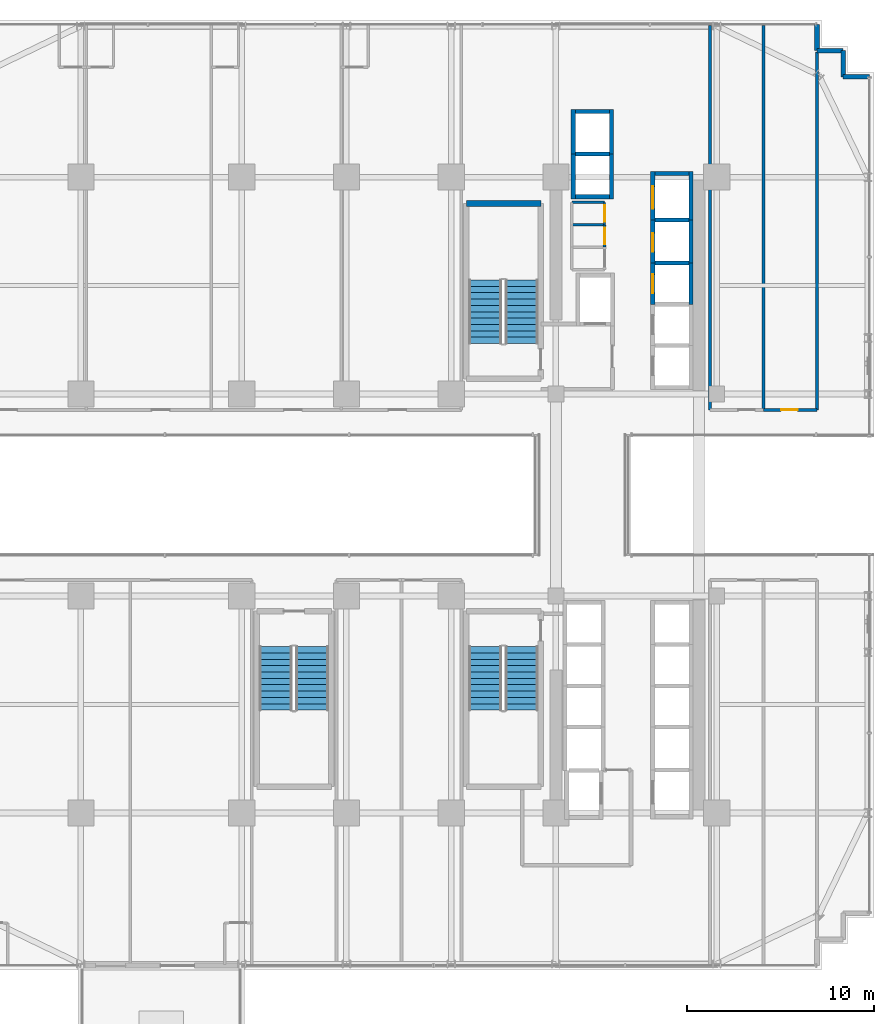
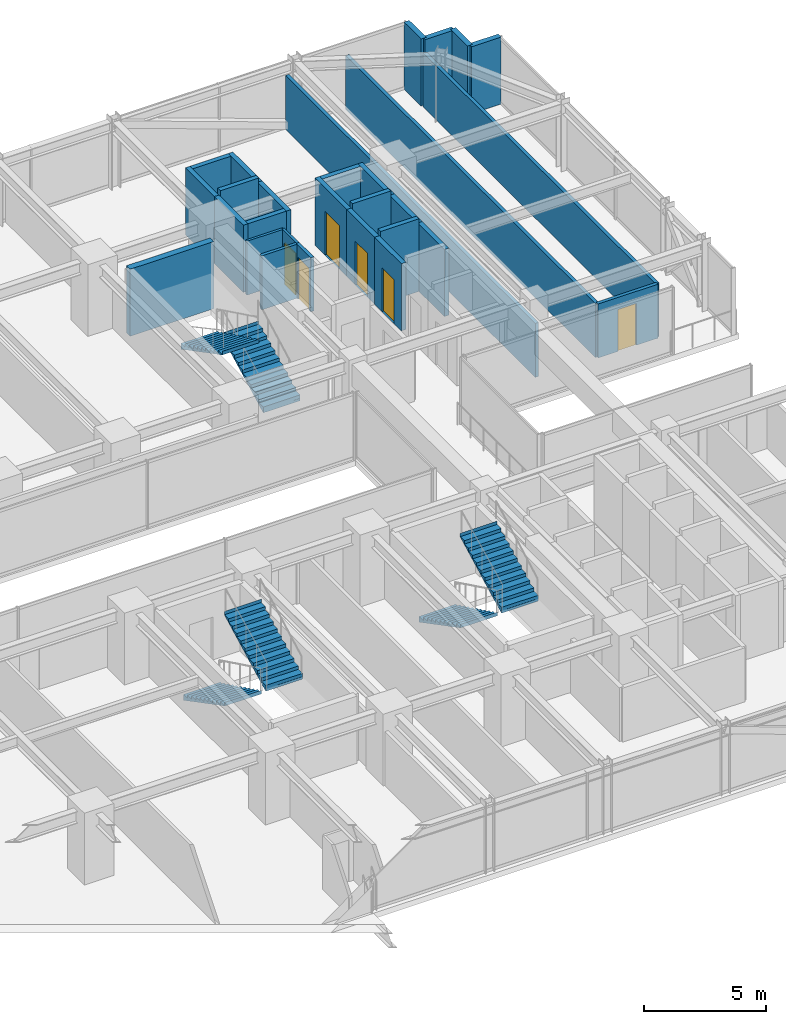
# One storey, part 34 of 37: 29 walls, 6 doors, 6 stair flights, 6 openings, 3 elements without a shape of their own.
"""IFC4 building model written with IfcOpenShell, lengths in metres."""

from ifc_helpers import new_model, si_unit, direction, frame, frame_2d, origin, place, context, subcontext, project, spatial, polyline, rectangle, outline, extrude, source, transform, mapped, material, layer, layer_set, type_object, element, fill, aggregate, save


model = new_model("IFC4")

# Units and contexts
model_context = context("Model", 3, precision=1e-05, world=origin(), true_north=direction((0.0, 1.0)))
body_context = subcontext(model_context, "Body", "Model", "MODEL_VIEW")
ifc_project = project(units=[si_unit("LENGTHUNIT", "METRE"), si_unit("AREAUNIT", "SQUARE_METRE"), si_unit("VOLUMEUNIT", "CUBIC_METRE"), si_unit("PLANEANGLEUNIT", "RADIAN"), si_unit("MASSUNIT", "GRAM", prefix="KILO")], contexts=[model_context])

# Site, building, storey
site_placement = place(None, origin())
site = spatial("IfcSite", under=ifc_project, at=site_placement, CompositionType="ELEMENT")
building_placement = place(site_placement, origin())
building = spatial("IfcBuilding", under=site, at=building_placement, Name="Nahalor Promenade Grand Hotel", CompositionType="ELEMENT")
storey_placement = place(building_placement, frame((0.0, 0.0, 65.25)))
storey = spatial("IfcBuildingStorey", under=building, at=storey_placement, Name="L15", CompositionType="ELEMENT", Elevation=65.25)

# Walls
ifc_material_1 = material(Name="Concrete B-50 (C40/50)", Category="concrete")
ifc_layer_1 = layer(ifc_material_1, 0.300048828125)
ifc_layer_set_1 = layer_set([ifc_layer_1], Name="Concrete B-50 (C40/50)")
wall_type_1 = type_object("IfcWallType", Name="Wall-ShaftShear-300", PredefinedType="SHEAR", material=ifc_layer_set_1)
shared_shape_1 = source(origin(), body_context, "Body", "SweptSolid", [
    extrude(rectangle(XDim=3.97998046875, YDim=0.300048828125, at=frame_2d((1.989990234375, 0.0))), origin(), (0.0, 0.0, 1.0), 3.3701171875),
])
wall_1_placement = place(storey_placement, frame((3.610107421875, 15.590087890625, 0.0), z_axis=(0.0, 0.0, 1.0), x_axis=(1.0, 0.0, 0.0)))
element("IfcWall", 1, at=wall_1_placement, inside=storey, type_object=wall_type_1, Name="L15 Exit Stair ST1 Shaft Wall N", PredefinedType="SHEAR", context=body_context, shape_type="MappedRepresentation", body=[
    mapped(shared_shape_1, transform((0.0, 0.0, 0.0), scale=1.0)),
])
ifc_layer_2 = layer(ifc_material_1, 0.219970703125)
ifc_layer_set_2 = layer_set([ifc_layer_2], Name="Concrete B-50 (C40/50)")
wall_type_2 = type_object("IfcWallType", Name="Wall-LiftShaft-220", PredefinedType="SHEAR", material=ifc_layer_set_2)
shared_shape_2 = source(origin(), body_context, "Body", "SweptSolid", [
    extrude(rectangle(XDim=1.820068359375, YDim=0.219970703125, at=frame_2d((0.91015625, 0.0))), origin(), (0.0, 0.0, 1.0), 3.3701171875),
])
for number, where, z_axis, x_axis, name in (
    (2, (9.43994140625, 15.949951171875, 0.0), (0.0, 0.0, 1.0), (1.0, 0.0, 0.0), "L15 Lift OB1 Hoistway Wall S"),
    (3, (9.43994140625, 20.5, 0.0), (0.0, 0.0, 1.0), (1.0, 0.0, 0.0), "L15 Lift OB2 Hoistway Wall N"),
    (4, (13.68994140625, 17.199951171875, 0.0), (0.0, 0.0, 1.0), (1.0, 0.0, 0.0), "L15 Lift SV1 Hoistway Wall N"),
):
    element("IfcWall", number, at=place(storey_placement, frame(where, z_axis=z_axis, x_axis=x_axis)), inside=storey, type_object=wall_type_2, Name=name, PredefinedType="SHEAR", context=body_context, shape_type="MappedRepresentation", body=[
        mapped(shared_shape_2, transform((0.0, 0.0, 0.0), scale=1.0)),
    ])
shared_shape_3 = source(origin(), body_context, "Body", "SweptSolid", [
    extrude(rectangle(XDim=1.820068359375, YDim=0.219970703125, at=frame_2d((0.91015625, 0.0))), origin(), (0.0, 0.0, 1.0), 3.64990234375),
])
for number, where, z_axis, x_axis, name in (
    (5, (13.68994140625, 12.39990234375, 0.0), (0.0, 0.0, 1.0), (1.0, 0.0, 0.0), "L15 Lift PL3 Hoistway Wall N"),
    (6, (13.68994140625, 14.699951171875, 0.0), (0.0, 0.0, 1.0), (1.0, 0.0, 0.0), "L15 Lift PL4 Hoistway Wall N"),
    (7, (9.43994140625, 18.22509765625, 0.0), (0.0, 0.0, 1.0), (1.0, 0.0, 0.0), "L15 Lift OB1 Hoistway Wall N"),
):
    element("IfcWall", number, at=place(storey_placement, frame(where, z_axis=z_axis, x_axis=x_axis)), inside=storey, type_object=wall_type_2, Name=name, PredefinedType="SHEAR", context=body_context, shape_type="MappedRepresentation", body=[
        mapped(shared_shape_3, transform((0.0, 0.0, 0.0), scale=1.0)),
    ])

# Wall, opening, door
shared_shape_4 = source(origin(), body_context, "Body", "SweptSolid", [
    extrude(rectangle(XDim=2.199951171875, YDim=0.219970703125, at=frame_2d((1.10009765625, 0.0))), origin(), (0.0, 0.0, 1.0), 3.3701171875),
])
wall_2_placement = place(storey_placement, frame((13.580078125, 10.199951171875, 0.0), z_axis=(0.0, 0.0, 1.0), x_axis=(0.0, 1.0, 0.0)))
wall_2 = element("IfcWall", 8, at=wall_2_placement, inside=storey, type_object=wall_type_2, Name="L15 Lift PL3 Hoistway Wall W", PredefinedType="SHEAR", context=body_context, shape_type="MappedRepresentation", body=[
    mapped(shared_shape_4, transform((0.0, 0.0, 0.0), scale=1.0)),
])
opening_1_placement = place(wall_2_placement, frame((0.60009765625, 0.0, 0.0)))
opening_1 = element("IfcOpeningElement", 9, at=opening_1_placement, cuts=wall_2, Name="Opening LD-01", PredefinedType="OPENING", context=body_context, shape_type="SweptSolid", body=[
    extrude(rectangle(XDim=1.0, YDim=2.199951171875, at=frame_2d((0.5, 1.10009765625))), frame((0.0, 0.119873046875, 0.0), z_axis=(0.0, -1.0, 0.0), x_axis=(1.0, 0.0, 0.0)), (0.0, 0.0, 1.0), 0.239990234375),
])
ifc_material_2 = material(Name="Steel S355JR", Category="steel")
door_type_1 = type_object("IfcDoorType", Name="Door-LiftLanding-1000", OperationType="DOUBLE_DOOR_SLIDING", PredefinedType="DOOR", material=ifc_material_2)
shared_shape_5 = source(origin(), body_context, "Body", "SweptSolid", [
    extrude(rectangle(XDim=1.0, YDim=2.199951171875, at=frame_2d((0.5, 1.10009765625))), frame((0.0, 0.02490234375, 0.0), z_axis=(0.0, -1.0, 0.0), x_axis=(1.0, 0.0, 0.0)), (0.0, 0.0, 1.0), 0.050048828125),
])
door_1_placement = place(opening_1_placement, origin())
door_1 = element("IfcDoor", 10, at=door_1_placement, inside=storey, type_object=door_type_1, Name="DR-LIFT-PL3-L15", OperationType="DOUBLE_DOOR_SLIDING", OverallHeight=2.199951171875, OverallWidth=1.0, PredefinedType="DOOR", context=body_context, shape_type="MappedRepresentation", body=[
    mapped(shared_shape_5, transform((0.0, 0.0, 0.0), scale=1.0)),
])
fill(opening_1, door_1)

# Wall
wall_3_placement = place(storey_placement, frame((15.6201171875, 10.199951171875, 0.0), z_axis=(0.0, 0.0, 1.0), x_axis=(0.0, 1.0, 0.0)))
element("IfcWall", 11, at=wall_3_placement, inside=storey, type_object=wall_type_2, Name="L15 Lift PL3 Hoistway Wall E", PredefinedType="SHEAR", context=body_context, shape_type="MappedRepresentation", body=[
    mapped(shared_shape_4, transform((0.0, 0.0, 0.0), scale=1.0)),
])

# Wall, opening, door
shared_shape_6 = source(origin(), body_context, "Body", "SweptSolid", [
    extrude(rectangle(XDim=2.300048828125, YDim=0.219970703125, at=frame_2d((1.14990234375, 0.0))), origin(), (0.0, 0.0, 1.0), 3.3701171875),
])
wall_4_placement = place(storey_placement, frame((13.580078125, 12.39990234375, 0.0), z_axis=(0.0, 0.0, 1.0), x_axis=(0.0, 1.0, 0.0)))
wall_4 = element("IfcWall", 12, at=wall_4_placement, inside=storey, type_object=wall_type_2, Name="L15 Lift PL4 Hoistway Wall W", PredefinedType="SHEAR", context=body_context, shape_type="MappedRepresentation", body=[
    mapped(shared_shape_6, transform((0.0, 0.0, 0.0), scale=1.0)),
])
opening_2_placement = place(wall_4_placement, frame((0.60009765625, 0.0, 0.0)))
opening_2 = element("IfcOpeningElement", 13, at=opening_2_placement, cuts=wall_4, Name="Opening LD-01", PredefinedType="OPENING", context=body_context, shape_type="SweptSolid", body=[
    extrude(rectangle(XDim=1.0, YDim=2.199951171875, at=frame_2d((0.5, 1.10009765625))), frame((0.0, 0.119873046875, 0.0), z_axis=(0.0, -1.0, 0.0), x_axis=(1.0, 0.0, 0.0)), (0.0, 0.0, 1.0), 0.239990234375),
])
door_2_placement = place(opening_2_placement, origin())
door_2 = element("IfcDoor", 14, at=door_2_placement, inside=storey, type_object=door_type_1, Name="DR-LIFT-PL4-L15", OperationType="DOUBLE_DOOR_SLIDING", OverallHeight=2.199951171875, OverallWidth=1.0, PredefinedType="DOOR", context=body_context, shape_type="MappedRepresentation", body=[
    mapped(shared_shape_5, transform((0.0, 0.0, 0.0), scale=1.0)),
])
fill(opening_2, door_2)

# Walls
wall_5_placement = place(storey_placement, frame((15.6201171875, 12.39990234375, 0.0), z_axis=(0.0, 0.0, 1.0), x_axis=(0.0, 1.0, 0.0)))
element("IfcWall", 15, at=wall_5_placement, inside=storey, type_object=wall_type_2, Name="L15 Lift PL4 Hoistway Wall E", PredefinedType="SHEAR", context=body_context, shape_type="MappedRepresentation", body=[
    mapped(shared_shape_6, transform((0.0, 0.0, 0.0), scale=1.0)),
])
shared_shape_7 = source(origin(), body_context, "Body", "SweptSolid", [
    extrude(rectangle(XDim=2.385009765625, YDim=0.219970703125, at=frame_2d((1.1923828125, 0.0))), origin(), (0.0, 0.0, 1.0), 3.3701171875),
])
for number, where, z_axis, x_axis, name in (
    (16, (9.330078125, 15.840087890625, 0.0), (0.0, 0.0, 1.0), (0.0, 1.0, 0.0), "L15 Lift OB1 Hoistway Wall W"),
    (17, (11.3701171875, 15.840087890625, 0.0), (0.0, 0.0, 1.0), (0.0, 1.0, 0.0), "L15 Lift OB1 Hoistway Wall E"),
    (18, (9.330078125, 18.22509765625, 0.0), (0.0, 0.0, 1.0), (0.0, 1.0, 0.0), "L15 Lift OB2 Hoistway Wall W"),
    (19, (11.3701171875, 18.22509765625, 0.0), (0.0, 0.0, 1.0), (0.0, 1.0, 0.0), "L15 Lift OB2 Hoistway Wall E"),
):
    element("IfcWall", number, at=place(storey_placement, frame(where, z_axis=z_axis, x_axis=x_axis)), inside=storey, type_object=wall_type_2, Name=name, PredefinedType="SHEAR", context=body_context, shape_type="MappedRepresentation", body=[
        mapped(shared_shape_7, transform((0.0, 0.0, 0.0), scale=1.0)),
    ])

# Wall, opening, door
shared_shape_8 = source(origin(), body_context, "Body", "SweptSolid", [
    extrude(rectangle(XDim=2.610107421875, YDim=0.219970703125, at=frame_2d((1.30517578125, 0.0))), origin(), (0.0, 0.0, 1.0), 3.3701171875),
])
wall_6_placement = place(storey_placement, frame((13.580078125, 14.699951171875, 0.0), z_axis=(0.0, 0.0, 1.0), x_axis=(0.0, 1.0, 0.0)))
wall_6 = element("IfcWall", 20, at=wall_6_placement, inside=storey, type_object=wall_type_2, Name="L15 Lift SV1 Hoistway Wall W", PredefinedType="SHEAR", context=body_context, shape_type="MappedRepresentation", body=[
    mapped(shared_shape_8, transform((0.0, 0.0, 0.0), scale=1.0)),
])
opening_3_placement = place(wall_6_placement, frame((0.60009765625, 0.0, 0.0)))
opening_3 = element("IfcOpeningElement", 21, at=opening_3_placement, cuts=wall_6, Name="Opening LD-03", PredefinedType="OPENING", context=body_context, shape_type="SweptSolid", body=[
    extrude(rectangle(XDim=1.199951171875, YDim=2.199951171875, at=frame_2d((0.60009765625, 1.10009765625))), frame((0.0, 0.119873046875, 0.0), z_axis=(0.0, -1.0, 0.0), x_axis=(1.0, 0.0, 0.0)), (0.0, 0.0, 1.0), 0.239990234375),
])
door_type_2 = type_object("IfcDoorType", Name="Door-LiftService-1200", OperationType="DOUBLE_DOOR_SLIDING", PredefinedType="DOOR", material=ifc_material_2)
shared_shape_9 = source(origin(), body_context, "Body", "SweptSolid", [
    extrude(rectangle(XDim=1.199951171875, YDim=2.199951171875, at=frame_2d((0.60009765625, 1.10009765625))), frame((0.0, 0.02490234375, 0.0), z_axis=(0.0, -1.0, 0.0), x_axis=(1.0, 0.0, 0.0)), (0.0, 0.0, 1.0), 0.050048828125),
])
door_3_placement = place(opening_3_placement, origin())
door_3 = element("IfcDoor", 22, at=door_3_placement, inside=storey, type_object=door_type_2, Name="DR-LIFT-SV1-L15", OperationType="DOUBLE_DOOR_SLIDING", OverallHeight=2.199951171875, OverallWidth=1.199951171875, PredefinedType="DOOR", context=body_context, shape_type="MappedRepresentation", body=[
    mapped(shared_shape_9, transform((0.0, 0.0, 0.0), scale=1.0)),
])
fill(opening_3, door_3)

# Walls
wall_7_placement = place(storey_placement, frame((15.6201171875, 14.699951171875, 0.0), z_axis=(0.0, 0.0, 1.0), x_axis=(0.0, 1.0, 0.0)))
element("IfcWall", 23, at=wall_7_placement, inside=storey, type_object=wall_type_2, Name="L15 Lift SV1 Hoistway Wall E", PredefinedType="SHEAR", context=body_context, shape_type="MappedRepresentation", body=[
    mapped(shared_shape_8, transform((0.0, 0.0, 0.0), scale=1.0)),
])
ifc_material_3 = material(Name="Concrete B-40 (C32/40)", Category="concrete")
ifc_layer_3 = layer(ifc_material_3, 0.25)
ifc_layer_set_3 = layer_set([ifc_layer_3], Name="Concrete B-40 (C32/40)")
wall_type_3 = type_object("IfcWallType", Name="Wall-BronzePier-250", PredefinedType="STANDARD", material=ifc_layer_set_3)
shared_shape_10 = source(origin(), body_context, "Body", "SweptSolid", [
    extrude(rectangle(XDim=1.39990234375, YDim=0.25, at=frame_2d((0.699951171875, 0.0))), origin(), (0.0, 0.0, 1.0), 3.3701171875),
])
for number, where, z_axis, x_axis, name in (
    (24, (23.760009765625, 22.360107421875, 0.0), (0.0, 0.0, 1.0), (1.0, 0.0, 0.0), "W-L15-SR-05"),
    (25, (23.760009765625, 22.360107421875, 0.0), (0.0, 0.0, 1.0), (0.0, 1.0, 0.0), "W-L15-SR-06"),
    (26, (22.360107421875, 23.760009765625, 0.0), (0.0, 0.0, 1.0), (1.0, 0.0, 0.0), "W-L15-SR-07"),
    (27, (22.360107421875, 23.760009765625, 0.0), (0.0, 0.0, 1.0), (0.0, 1.0, 0.0), "W-L15-SR-08"),
):
    element("IfcWall", number, at=place(storey_placement, frame(where, z_axis=z_axis, x_axis=x_axis)), inside=storey, type_object=wall_type_3, Name=name, PredefinedType="STANDARD", context=body_context, shape_type="MappedRepresentation", body=[
        mapped(shared_shape_10, transform((0.0, 0.0, 0.0), scale=1.0)),
    ])
ifc_material_4 = material(Name="Acoustic Mineral Gypsum", Category="gypsum")
ifc_layer_4 = layer(ifc_material_4, 0.14990234375)
ifc_layer_set_4 = layer_set([ifc_layer_4], Name="Acoustic Mineral Gypsum")
wall_type_4 = type_object("IfcWallType", Name="Wall-PartService-150", PredefinedType="PARTITIONING", material=ifc_layer_set_4)
shared_shape_11 = source(origin(), body_context, "Body", "SweptSolid", [
    extrude(rectangle(XDim=1.75, YDim=0.14990234375, at=frame_2d((0.875, 0.0))), origin(), (0.0, 0.0, 1.0), 2.7099609375),
])
wall_8_placement = place(storey_placement, frame((9.25, 14.449951171875, 0.0), z_axis=(0.0, 0.0, 1.0), x_axis=(1.0, 0.0, 0.0)))
element("IfcWall", 28, at=wall_8_placement, inside=storey, type_object=wall_type_4, Name="W-L15-CK3B-N", PredefinedType="PARTITIONING", context=body_context, shape_type="MappedRepresentation", body=[
    mapped(shared_shape_11, transform((0.0, 0.0, 0.0), scale=1.0)),
])
ifc_layer_5 = layer(ifc_material_4, 0.159912109375)
ifc_layer_set_5 = layer_set([ifc_layer_5], Name="Acoustic Mineral Gypsum")
wall_type_5 = type_object("IfcWallType", Name="Wall-PartCorridor-160", PredefinedType="PARTITIONING", material=ifc_layer_set_5)
shared_shape_12 = source(origin(), body_context, "Body", "SweptSolid", [
    extrude(rectangle(XDim=20.550048828125, YDim=0.159912109375, at=frame_2d((10.27490234375, 0.0))), origin(), (0.0, 0.0, 1.0), 2.7099609375),
])
for number, where, z_axis, x_axis, name in (
    (29, (16.64990234375, 4.550048828125, 0.0), (0.0, 0.0, 1.0), (0.0, 1.0, 0.0), "W-L15-ENE1-W"),
    (30, (19.5048828125, 4.550048828125, 0.0), (0.0, 0.0, 1.0), (0.0, 1.0, 0.0), "W-L15-ENE1-E"),
):
    element("IfcWall", number, at=place(storey_placement, frame(where, z_axis=z_axis, x_axis=x_axis)), inside=storey, type_object=wall_type_5, Name=name, PredefinedType="PARTITIONING", context=body_context, shape_type="MappedRepresentation", body=[
        mapped(shared_shape_12, transform((0.0, 0.0, 0.0), scale=1.0)),
    ])
shared_shape_13 = source(origin(), body_context, "Body", "SweptSolid", [
    extrude(rectangle(XDim=19.1298828125, YDim=0.159912109375, at=frame_2d((9.56494140625, 0.0))), origin(), (0.0, 0.0, 1.0), 2.7099609375),
])
wall_9_placement = place(storey_placement, frame((22.360107421875, 4.550048828125, 0.0), z_axis=(0.0, 0.0, 1.0), x_axis=(0.0, 1.0, 0.0)))
element("IfcWall", 31, at=wall_9_placement, inside=storey, type_object=wall_type_5, Name="W-L15-ENE2-E", PredefinedType="PARTITIONING", context=body_context, shape_type="MappedRepresentation", body=[
    mapped(shared_shape_13, transform((0.0, 0.0, 0.0), scale=1.0)),
])
ifc_layer_6 = layer(ifc_material_4, 0.1201171875)
ifc_layer_set_6 = layer_set([ifc_layer_6], Name="Acoustic Mineral Gypsum")
wall_type_6 = type_object("IfcWallType", Name="Wall-PartBath-120", PredefinedType="PARTITIONING", material=ifc_layer_set_6)
shared_shape_14 = source(origin(), body_context, "Body", "SweptSolid", [
    extrude(rectangle(XDim=1.75, YDim=0.1201171875, at=frame_2d((0.875, 0.0))), origin(), (0.0, 0.0, 1.0), 2.7099609375),
])
wall_10_placement = place(storey_placement, frame((9.25, 15.64990234375, 0.0), z_axis=(0.0, 0.0, 1.0), x_axis=(1.0, 0.0, 0.0)))
element("IfcWall", 32, at=wall_10_placement, inside=storey, type_object=wall_type_6, Name="W-L15-CK3C-N", PredefinedType="PARTITIONING", context=body_context, shape_type="MappedRepresentation", body=[
    mapped(shared_shape_14, transform((0.0, 0.0, 0.0), scale=1.0)),
])

# Wall, opening, door
shared_shape_15 = source(origin(), body_context, "Body", "SweptSolid", [
    extrude(rectangle(XDim=1.199951171875, YDim=0.14990234375, at=frame_2d((0.60009765625, 0.0))), origin(), (0.0, 0.0, 1.0), 2.7099609375),
])
wall_11_placement = place(storey_placement, frame((11.0, 13.25, 0.0), z_axis=(0.0, 0.0, 1.0), x_axis=(0.0, 1.0, 0.0)))
wall_11 = element("IfcWall", 33, at=wall_11_placement, inside=storey, type_object=wall_type_4, Name="W-L15-CK3B-E", PredefinedType="PARTITIONING", context=body_context, shape_type="MappedRepresentation", body=[
    mapped(shared_shape_15, transform((0.0, 0.0, 0.0), scale=1.0)),
])
opening_4_placement = place(wall_11_placement, frame((0.159912109375, 0.0, 0.0)))
opening_4 = element("IfcOpeningElement", 34, at=opening_4_placement, cuts=wall_11, Name="Opening D-03", PredefinedType="OPENING", context=body_context, shape_type="SweptSolid", body=[
    extrude(rectangle(XDim=0.8798828125, YDim=2.10009765625, at=frame_2d((0.43994140625, 1.050048828125))), frame((0.0, 0.0849609375, 0.0), z_axis=(0.0, -1.0, 0.0), x_axis=(1.0, 0.0, 0.0)), (0.0, 0.0, 1.0), 0.169921875),
])
ifc_material_5 = material(Name="Fire-Rated Timber Composite", Category="wood")
door_type_3 = type_object("IfcDoorType", Name="Door-BathSwing-880", OperationType="NOTDEFINED", PredefinedType="DOOR", material=ifc_material_5)
shared_shape_16 = source(origin(), body_context, "Body", "SweptSolid", [
    extrude(rectangle(XDim=0.8798828125, YDim=2.10009765625, at=frame_2d((0.43994140625, 1.050048828125))), frame((0.0, 0.02490234375, 0.0), z_axis=(0.0, -1.0, 0.0), x_axis=(1.0, 0.0, 0.0)), (0.0, 0.0, 1.0), 0.050048828125),
])
door_4_placement = place(opening_4_placement, origin())
door_4 = element("IfcDoor", 35, at=door_4_placement, inside=storey, type_object=door_type_3, Name="DR-L15-CK3B", OperationType="SINGLE_SWING_RIGHT", OverallHeight=2.10009765625, OverallWidth=0.8798828125, PredefinedType="DOOR", context=body_context, shape_type="MappedRepresentation", body=[
    mapped(shared_shape_16, transform((0.0, 0.0, 0.0), scale=1.0)),
])
fill(opening_4, door_4)

shared_shape_17 = source(origin(), body_context, "Body", "SweptSolid", [
    extrude(rectangle(XDim=1.199951171875, YDim=0.1201171875, at=frame_2d((0.60009765625, 0.0))), origin(), (0.0, 0.0, 1.0), 2.7099609375),
])
wall_12_placement = place(storey_placement, frame((11.0, 14.449951171875, 0.0), z_axis=(0.0, 0.0, 1.0), x_axis=(0.0, 1.0, 0.0)))
wall_12 = element("IfcWall", 36, at=wall_12_placement, inside=storey, type_object=wall_type_6, Name="W-L15-CK3C-E", PredefinedType="PARTITIONING", context=body_context, shape_type="MappedRepresentation", body=[
    mapped(shared_shape_17, transform((0.0, 0.0, 0.0), scale=1.0)),
])
opening_5_placement = place(wall_12_placement, frame((0.159912109375, 0.0, 0.0)))
opening_5 = element("IfcOpeningElement", 37, at=opening_5_placement, cuts=wall_12, Name="Opening D-03", PredefinedType="OPENING", context=body_context, shape_type="SweptSolid", body=[
    extrude(rectangle(XDim=0.8798828125, YDim=2.10009765625, at=frame_2d((0.43994140625, 1.050048828125))), frame((0.0, 0.070068359375, 0.0), z_axis=(0.0, -1.0, 0.0), x_axis=(1.0, 0.0, 0.0)), (0.0, 0.0, 1.0), 0.14013671875),
])
door_5_placement = place(opening_5_placement, origin())
door_5 = element("IfcDoor", 38, at=door_5_placement, inside=storey, type_object=door_type_3, Name="DR-L15-CK3C", OperationType="SINGLE_SWING_LEFT", OverallHeight=2.10009765625, OverallWidth=0.8798828125, PredefinedType="DOOR", context=body_context, shape_type="MappedRepresentation", body=[
    mapped(shared_shape_16, transform((0.0, 0.0, 0.0), scale=1.0)),
])
fill(opening_5, door_5)

shared_shape_18 = source(origin(), body_context, "Body", "SweptSolid", [
    extrude(rectangle(XDim=2.855224609375, YDim=0.159912109375, at=frame_2d((1.427734375, 0.0))), origin(), (0.0, 0.0, 1.0), 2.7099609375),
])
wall_13_placement = place(storey_placement, frame((19.5048828125, 4.550048828125, 0.0), z_axis=(0.0, 0.0, 1.0), x_axis=(1.0, 0.0, 0.0)))
wall_13 = element("IfcWall", 39, at=wall_13_placement, inside=storey, type_object=wall_type_5, Name="W-L15-ENE2-S", PredefinedType="PARTITIONING", context=body_context, shape_type="MappedRepresentation", body=[
    mapped(shared_shape_18, transform((0.0, 0.0, 0.0), scale=1.0)),
])
opening_6_placement = place(wall_13_placement, frame((0.93994140625, 0.0, 0.0)))
opening_6 = element("IfcOpeningElement", 40, at=opening_6_placement, cuts=wall_13, Name="Opening D-03", PredefinedType="OPENING", context=body_context, shape_type="SweptSolid", body=[
    extrude(rectangle(XDim=0.8798828125, YDim=2.10009765625, at=frame_2d((0.43994140625, 1.050048828125))), frame((0.0, 0.08984375, 0.0), z_axis=(0.0, -1.0, 0.0), x_axis=(1.0, 0.0, 0.0)), (0.0, 0.0, 1.0), 0.179931640625),
])
door_6_placement = place(opening_6_placement, origin())
door_6 = element("IfcDoor", 41, at=door_6_placement, inside=storey, type_object=door_type_3, Name="DR-L15-ENE2", OperationType="SINGLE_SWING_LEFT", OverallHeight=2.10009765625, OverallWidth=0.8798828125, PredefinedType="DOOR", context=body_context, shape_type="MappedRepresentation", body=[
    mapped(shared_shape_16, transform((0.0, 0.0, 0.0), scale=1.0)),
])
fill(opening_6, door_6)

# Stair, stair flights
stair_type_1 = type_object("IfcStairType", Name="Stair-ST1", PredefinedType="HALF_TURN_STAIR", material=ifc_material_1)
stair_1_placement = place(storey_placement, origin())
stair_1 = element("IfcStair", 42, at=stair_1_placement, inside=storey, type_object=stair_type_1, Name="L15 ST1", PredefinedType="HALF_TURN_STAIR")
ifc_layer_7 = layer(ifc_material_1, 0.179931640625)
ifc_layer_set_7 = layer_set([ifc_layer_7], Name="Concrete B-50 (C40/50)")
stair_flight_type_1 = type_object("IfcStairFlightType", Name="Flight-ST1", PredefinedType="STRAIGHT", material=ifc_layer_set_7)
shared_shape_19 = source(origin(), body_context, "Body", "SweptSolid", [
    extrude(outline(polyline([(-0.00390625, -0.1201171875), (-0.00390625, 0.0), (0.0, 0.0), (0.0, 0.166015625), (0.340087890625, 0.166015625), (0.340087890625, 0.331787109375), (0.679931640625, 0.331787109375), (0.679931640625, 0.497802734375), (1.02001953125, 0.497802734375), (1.02001953125, 0.66357421875), (1.360107421875, 0.66357421875), (1.360107421875, 0.82958984375), (1.699951171875, 0.82958984375), (1.699951171875, 0.995361328125), (2.0400390625, 0.995361328125), (2.0400390625, 1.161376953125), (2.3798828125, 1.161376953125), (2.3798828125, 1.327392578125), (2.719970703125, 1.327392578125), (2.719970703125, 1.4931640625), (3.06005859375, 1.4931640625), (3.06005859375, 1.6591796875), (3.39990234375, 1.6591796875), (3.39990234375, 1.824951171875), (3.404052734375, 1.824951171875), (3.404052734375, 1.64501953125), (0.02001953125, -0.1201171875), (-0.00390625, -0.1201171875)])), frame((0.0, 0.875, 0.0), z_axis=(0.0, -1.0, 0.0), x_axis=(1.0, 0.0, 0.0)), (0.0, 0.0, 1.0), 1.75),
])
stair_flight_1_placement = place(storey_placement, frame((6.574951171875, 8.10009765625, 0.0), z_axis=(0.0, 0.0, 1.0), x_axis=(0.0, 1.0, 0.0)))
stair_flight_1 = element("IfcStairFlight", 43, at=stair_flight_1_placement, type_object=stair_flight_type_1, Name="ST1 flight 1", NumberOfRisers=11, NumberOfTreads=10, PredefinedType="STRAIGHT", RiserHeight=0.165909091, TreadLength=0.34, context=body_context, shape_type="MappedRepresentation", body=[
    mapped(shared_shape_19, transform((0.0, 0.0, 0.0), scale=1.0)),
])
stair_flight_2_placement = place(storey_placement, frame((4.625, 11.5, 1.824951171875), z_axis=(0.0, 0.0, 1.0), x_axis=(0.0, -1.0, 0.0)))
stair_flight_2 = element("IfcStairFlight", 44, at=stair_flight_2_placement, type_object=stair_flight_type_1, Name="ST1 flight 2", NumberOfRisers=11, NumberOfTreads=10, PredefinedType="STRAIGHT", RiserHeight=0.165909091, TreadLength=0.34, context=body_context, shape_type="MappedRepresentation", body=[
    mapped(shared_shape_19, transform((0.0, 0.0, 0.0), scale=1.0)),
])
aggregate(stair_1, [stair_flight_1, stair_flight_2])

stair_type_2 = type_object("IfcStairType", Name="Stair-ST2", PredefinedType="HALF_TURN_STAIR", material=ifc_material_1)
stair_2_placement = place(storey_placement, origin())
stair_2 = element("IfcStair", 45, at=stair_2_placement, inside=storey, type_object=stair_type_2, Name="L15 ST2", PredefinedType="HALF_TURN_STAIR")
ifc_layer_8 = layer(ifc_material_1, 0.18994140625)
ifc_layer_set_8 = layer_set([ifc_layer_8], Name="Concrete B-50 (C40/50)")
stair_flight_type_2 = type_object("IfcStairFlightType", Name="Flight-ST2", PredefinedType="STRAIGHT", material=ifc_layer_set_8)
shared_shape_20 = source(origin(), body_context, "Body", "SweptSolid", [
    extrude(outline(polyline([(-0.00390625, -0.1201171875), (-0.00390625, 0.0), (0.0, 0.0), (0.0, 0.166015625), (0.340087890625, 0.166015625), (0.340087890625, 0.331787109375), (0.679931640625, 0.331787109375), (0.679931640625, 0.497802734375), (1.02001953125, 0.497802734375), (1.02001953125, 0.66357421875), (1.360107421875, 0.66357421875), (1.360107421875, 0.82958984375), (1.699951171875, 0.82958984375), (1.699951171875, 0.995361328125), (2.0400390625, 0.995361328125), (2.0400390625, 1.161376953125), (2.3798828125, 1.161376953125), (2.3798828125, 1.327392578125), (2.719970703125, 1.327392578125), (2.719970703125, 1.4931640625), (3.06005859375, 1.4931640625), (3.06005859375, 1.6591796875), (3.39990234375, 1.6591796875), (3.39990234375, 1.824951171875), (3.404052734375, 1.824951171875), (3.404052734375, 1.64501953125), (0.02001953125, -0.1201171875), (-0.00390625, -0.1201171875)])), frame((0.0, 0.875, 0.0), z_axis=(0.0, -1.0, 0.0), x_axis=(1.0, 0.0, 0.0)), (0.0, 0.0, 1.0), 1.75),
])
stair_flight_3_placement = place(storey_placement, frame((4.625, -8.10009765625, 0.0), z_axis=(0.0, 0.0, 1.0), x_axis=(0.0, -1.0, 0.0)))
stair_flight_3 = element("IfcStairFlight", 46, at=stair_flight_3_placement, type_object=stair_flight_type_2, Name="ST2 flight 1", NumberOfRisers=11, NumberOfTreads=10, PredefinedType="STRAIGHT", RiserHeight=0.165909091, TreadLength=0.34, context=body_context, shape_type="MappedRepresentation", body=[
    mapped(shared_shape_20, transform((0.0, 0.0, 0.0), scale=1.0)),
])
stair_flight_4_placement = place(storey_placement, frame((6.574951171875, -11.5, 1.824951171875), z_axis=(0.0, 0.0, 1.0), x_axis=(0.0, 1.0, 0.0)))
stair_flight_4 = element("IfcStairFlight", 47, at=stair_flight_4_placement, type_object=stair_flight_type_2, Name="ST2 flight 2", NumberOfRisers=11, NumberOfTreads=10, PredefinedType="STRAIGHT", RiserHeight=0.165909091, TreadLength=0.34, context=body_context, shape_type="MappedRepresentation", body=[
    mapped(shared_shape_20, transform((0.0, 0.0, 0.0), scale=1.0)),
])
aggregate(stair_2, [stair_flight_3, stair_flight_4])

stair_type_3 = type_object("IfcStairType", Name="Stair-ST3", PredefinedType="HALF_TURN_STAIR", material=ifc_material_1)
stair_3_placement = place(storey_placement, origin())
stair_3 = element("IfcStair", 48, at=stair_3_placement, inside=storey, type_object=stair_type_3, Name="L15 ST3", PredefinedType="HALF_TURN_STAIR")
ifc_layer_9 = layer(ifc_material_1, 0.199951171875)
ifc_layer_set_9 = layer_set([ifc_layer_9], Name="Concrete B-50 (C40/50)")
stair_flight_type_3 = type_object("IfcStairFlightType", Name="Flight-ST3", PredefinedType="STRAIGHT", material=ifc_layer_set_9)
shared_shape_21 = source(origin(), body_context, "Body", "SweptSolid", [
    extrude(outline(polyline([(-0.00390625, -0.1201171875), (-0.00390625, 0.0), (0.0, 0.0), (0.0, 0.166015625), (0.340087890625, 0.166015625), (0.340087890625, 0.331787109375), (0.679931640625, 0.331787109375), (0.679931640625, 0.497802734375), (1.02001953125, 0.497802734375), (1.02001953125, 0.66357421875), (1.360107421875, 0.66357421875), (1.360107421875, 0.82958984375), (1.699951171875, 0.82958984375), (1.699951171875, 0.995361328125), (2.0400390625, 0.995361328125), (2.0400390625, 1.161376953125), (2.3798828125, 1.161376953125), (2.3798828125, 1.327392578125), (2.719970703125, 1.327392578125), (2.719970703125, 1.4931640625), (3.06005859375, 1.4931640625), (3.06005859375, 1.6591796875), (3.39990234375, 1.6591796875), (3.39990234375, 1.824951171875), (3.404052734375, 1.824951171875), (3.404052734375, 1.64501953125), (0.02001953125, -0.1201171875), (-0.00390625, -0.1201171875)])), frame((0.0, 0.875, 0.0), z_axis=(0.0, -1.0, 0.0), x_axis=(1.0, 0.0, 0.0)), (0.0, 0.0, 1.0), 1.75),
])
stair_flight_5_placement = place(storey_placement, frame((-6.574951171875, -8.10009765625, 0.0), z_axis=(0.0, 0.0, 1.0), x_axis=(0.0, -1.0, 0.0)))
stair_flight_5 = element("IfcStairFlight", 49, at=stair_flight_5_placement, type_object=stair_flight_type_3, Name="ST3 flight 1", NumberOfRisers=11, NumberOfTreads=10, PredefinedType="STRAIGHT", RiserHeight=0.165909091, TreadLength=0.34, context=body_context, shape_type="MappedRepresentation", body=[
    mapped(shared_shape_21, transform((0.0, 0.0, 0.0), scale=1.0)),
])
stair_flight_6_placement = place(storey_placement, frame((-4.625, -11.5, 1.824951171875), z_axis=(0.0, 0.0, 1.0), x_axis=(0.0, 1.0, 0.0)))
stair_flight_6 = element("IfcStairFlight", 50, at=stair_flight_6_placement, type_object=stair_flight_type_3, Name="ST3 flight 2", NumberOfRisers=11, NumberOfTreads=10, PredefinedType="STRAIGHT", RiserHeight=0.165909091, TreadLength=0.34, context=body_context, shape_type="MappedRepresentation", body=[
    mapped(shared_shape_21, transform((0.0, 0.0, 0.0), scale=1.0)),
])
aggregate(stair_3, [stair_flight_5, stair_flight_6])

save(model, "model.ifc")
